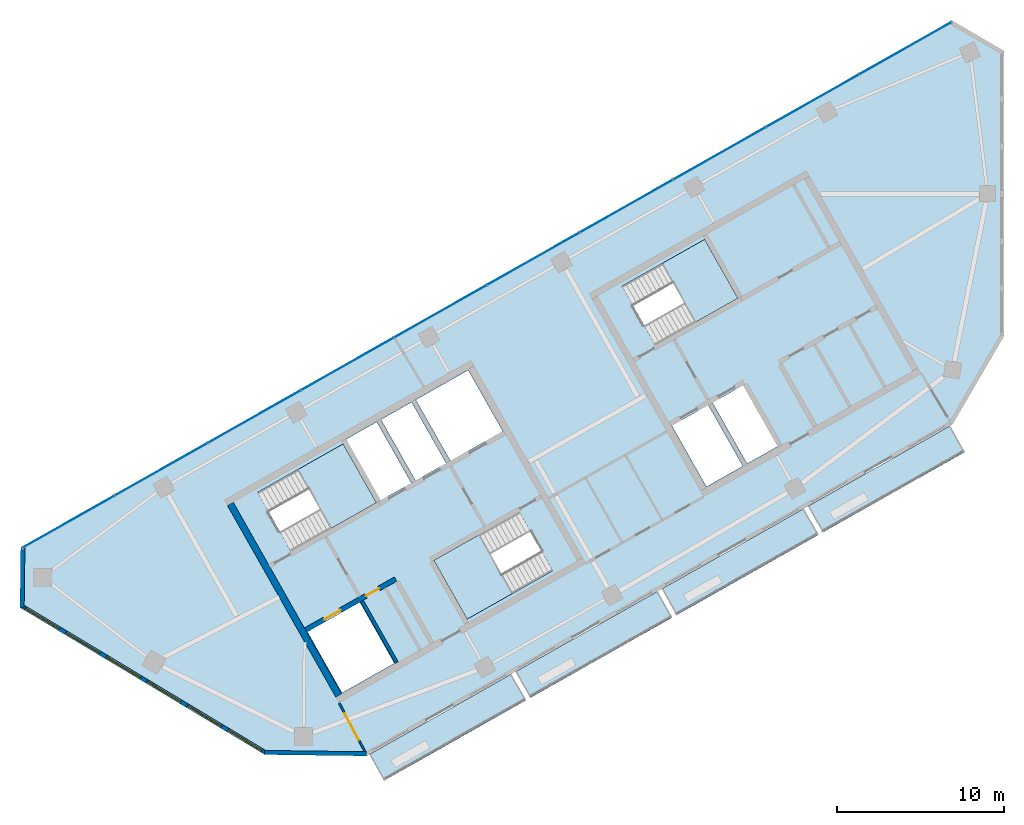
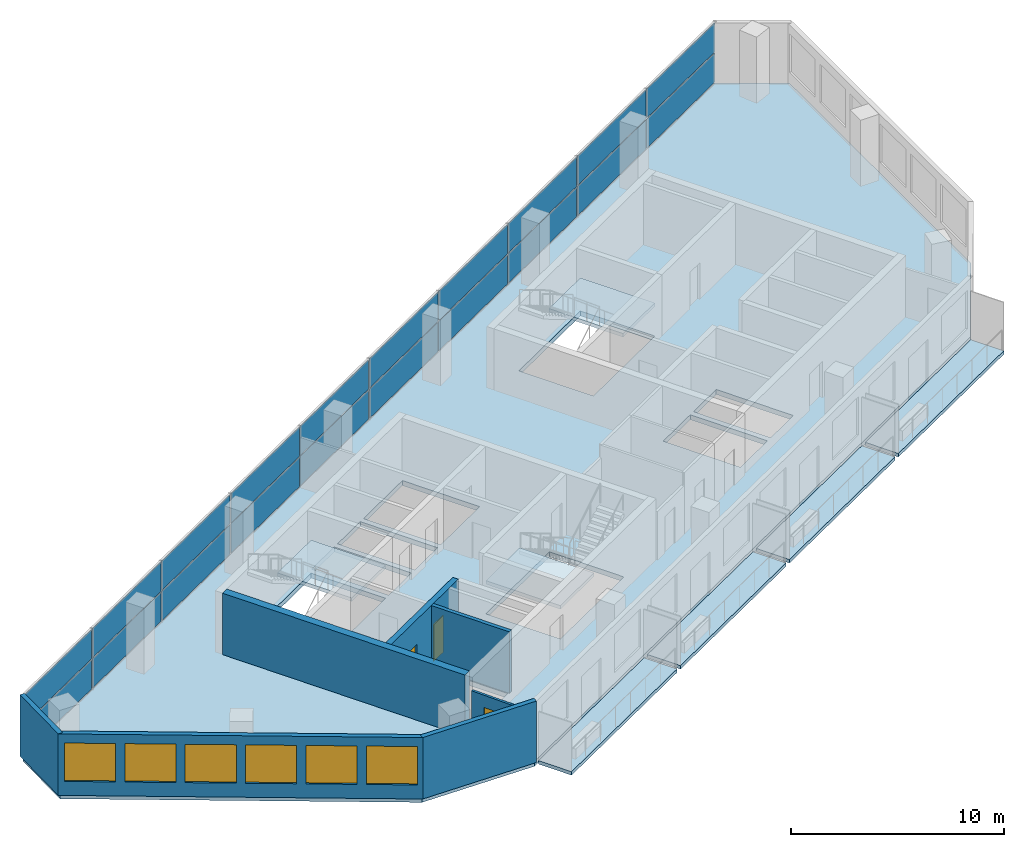
# One storey, part 5 of 10: 20 plates, 8 slabs, 7 walls, 6 windows, 3 doors, 9 openings, 4 elements without a shape of their own.
"""IFC4 building model written with IfcOpenShell, lengths in metres."""

from ifc_helpers import new_model, si_unit, direction, frame, frame_2d, origin, origin_2d, place, context, subcontext, project, spatial, polyline, rectangle, outline, extrude, material, layer, layer_set, type_object, element, fill, aggregate, save


model = new_model("IFC4")

# Units and contexts
model_context = context("Model", 3, precision=1e-05, world=origin(), true_north=direction((0.0, 1.0)))
body_context = subcontext(model_context, "Body", "Model", "MODEL_VIEW")
ifc_project = project(units=[si_unit("LENGTHUNIT", "METRE"), si_unit("AREAUNIT", "SQUARE_METRE"), si_unit("VOLUMEUNIT", "CUBIC_METRE"), si_unit("PLANEANGLEUNIT", "RADIAN"), si_unit("MASSUNIT", "GRAM", prefix="KILO")], contexts=[model_context])

# Site, building, storey
site_placement = place(None, origin())
site = spatial("IfcSite", under=ifc_project, at=site_placement, CompositionType="ELEMENT")
building_placement = place(site_placement, origin())
building = spatial("IfcBuilding", under=site, at=building_placement, Name="Binnacle Exchange Tower", CompositionType="ELEMENT")
storey_placement = place(building_placement, frame((0.0, 0.0, 335.5)))
storey = spatial("IfcBuildingStorey", under=building, at=storey_placement, Name="L76", CompositionType="ELEMENT", Elevation=335.5)

# Slabs
ifc_material_1 = material(Name="Concrete C35/45", Category="concrete")
ifc_layer_1 = layer(ifc_material_1, 0.199951171875)
ifc_layer_set_1 = layer_set([ifc_layer_1], Name="BALCONY SLAB 200")
slab_type_1 = type_object("IfcSlabType", Name="BALCONY SLAB 200", PredefinedType="FLOOR", material=ifc_layer_set_1)
slab_1_placement = place(storey_placement, frame((0.0, 0.0, -0.199951171875)))
element("IfcSlab", 1, at=slab_1_placement, inside=storey, type_object=slab_type_1, Name="Balcony BA-H07-00 L76", PredefinedType="FLOOR", context=body_context, shape_type="SweptSolid", body=[
    extrude(outline(polyline([(-37.90576171875, 26.410400390625), (-29.40380859375, 31.220458984375), (-28.517578125, 29.65380859375), (-37.019287109375, 24.84375), (-37.90576171875, 26.410400390625)])), origin(), (0.0, 0.0, 1.0), 0.199951171875),
])
slab_2_placement = place(storey_placement, frame((0.0, 0.0, -0.199951171875)))
element("IfcSlab", 2, at=slab_2_placement, inside=storey, type_object=slab_type_1, Name="Balcony BA-H07-01 L76", PredefinedType="FLOOR", context=body_context, shape_type="SweptSolid", body=[
    extrude(outline(polyline([(-29.142822265625, 31.3681640625), (-20.64111328125, 36.17822265625), (-19.754638671875, 34.611572265625), (-28.25634765625, 29.801513671875), (-29.142822265625, 31.3681640625)])), origin(), (0.0, 0.0, 1.0), 0.199951171875),
])
slab_3_placement = place(storey_placement, frame((0.0, 0.0, -0.199951171875)))
element("IfcSlab", 3, at=slab_3_placement, inside=storey, type_object=slab_type_1, Name="Balcony BA-H07-02 L76", PredefinedType="FLOOR", context=body_context, shape_type="SweptSolid", body=[
    extrude(outline(polyline([(-20.3798828125, 36.325927734375), (-11.878173828125, 41.135986328125), (-10.99169921875, 39.5693359375), (-19.493408203125, 34.759521484375), (-20.3798828125, 36.325927734375)])), origin(), (0.0, 0.0, 1.0), 0.199951171875),
])
slab_4_placement = place(storey_placement, frame((0.0, 0.0, -0.199951171875)))
element("IfcSlab", 4, at=slab_4_placement, inside=storey, type_object=slab_type_1, Name="Balcony BA-H07-03 L76", PredefinedType="FLOOR", context=body_context, shape_type="SweptSolid", body=[
    extrude(outline(polyline([(-11.616943359375, 41.28369140625), (-3.115234375, 46.093994140625), (-2.22900390625, 44.527099609375), (-10.730712890625, 39.717041015625), (-11.616943359375, 41.28369140625)])), origin(), (0.0, 0.0, 1.0), 0.199951171875),
])

# Curtain wall, plates
ifc_material_2 = material(Name="Bronze anodised aluminium frame", Category="aluminium")
curtain_wall_type = type_object("IfcCurtainWallType", Name="External wall - curtain wall executive floors", PredefinedType="NOTDEFINED", material=ifc_material_2)
curtain_wall_placement = place(storey_placement, origin())
curtain_wall = element("IfcCurtainWall", 5, at=curtain_wall_placement, inside=storey, type_object=curtain_wall_type, Name="External wall curtain wall CW4-H03 L76", PredefinedType="NOTDEFINED")
ifc_material_3 = material(Name="Glass", Category="glass")
ifc_layer_2 = layer(ifc_material_3, 0.031982421875)
ifc_layer_set_2 = layer_set([ifc_layer_2], Name="CW4 GLASS PANEL 32")
plate_type = type_object("IfcPlateType", Name="CW4 GLASS PANEL 32", PredefinedType="CURTAIN_PANEL", material=ifc_layer_set_2)
plate_1_placement = place(storey_placement, frame((-5.786376953125, 68.72607421875, 0.050048828125), z_axis=(0.0, 0.0, 1.0), x_axis=(-0.870355581136, -0.492423763019, 0.0)))
plate_1 = element("IfcPlate", 6, at=plate_1_placement, type_object=plate_type, Name="CW4-H03 panel 1.1", PredefinedType="CURTAIN_PANEL", context=body_context, shape_type="SweptSolid", body=[
    extrude(rectangle(XDim=6.30029296875, YDim=0.031982421875, at=origin_2d()), origin(), (0.0, 0.0, 1.0), 1.68505859375),
])
plate_2_placement = place(storey_placement, frame((-5.786376953125, 68.72607421875, 1.784912109375), z_axis=(0.0, 0.0, 1.0), x_axis=(-0.870355581136, -0.492423763019, 0.0)))
plate_2 = element("IfcPlate", 7, at=plate_2_placement, type_object=plate_type, Name="CW4-H03 panel 1.2", PredefinedType="CURTAIN_PANEL", context=body_context, shape_type="SweptSolid", body=[
    extrude(rectangle(XDim=6.30029296875, YDim=0.031982421875, at=origin_2d()), origin(), (0.0, 0.0, 1.0), 1.68505859375),
])
plate_3_placement = place(storey_placement, frame((-11.345947265625, 65.580810546875, 0.050048828125), z_axis=(0.0, 0.0, 1.0), x_axis=(-0.870355581136, -0.492423763019, 0.0)))
plate_3 = element("IfcPlate", 8, at=plate_3_placement, type_object=plate_type, Name="CW4-H03 panel 2.1", PredefinedType="CURTAIN_PANEL", context=body_context, shape_type="SweptSolid", body=[
    extrude(rectangle(XDim=6.335205078125, YDim=0.031982421875, at=origin_2d()), origin(), (0.0, 0.0, 1.0), 1.68505859375),
])
plate_4_placement = place(storey_placement, frame((-11.345947265625, 65.580810546875, 1.784912109375), z_axis=(0.0, 0.0, 1.0), x_axis=(-0.870355581136, -0.492423763019, 0.0)))
plate_4 = element("IfcPlate", 9, at=plate_4_placement, type_object=plate_type, Name="CW4-H03 panel 2.2", PredefinedType="CURTAIN_PANEL", context=body_context, shape_type="SweptSolid", body=[
    extrude(rectangle(XDim=6.335205078125, YDim=0.031982421875, at=origin_2d()), origin(), (0.0, 0.0, 1.0), 1.68505859375),
])
plate_5_placement = place(storey_placement, frame((-16.9208984375, 62.426513671875, 0.050048828125), z_axis=(0.0, 0.0, 1.0), x_axis=(-0.870355581136, -0.492423763019, 0.0)))
plate_5 = element("IfcPlate", 10, at=plate_5_placement, type_object=plate_type, Name="CW4-H03 panel 3.1", PredefinedType="CURTAIN_PANEL", context=body_context, shape_type="SweptSolid", body=[
    extrude(rectangle(XDim=6.335205078125, YDim=0.031982421875, at=origin_2d()), origin(), (0.0, 0.0, 1.0), 1.68505859375),
])
plate_6_placement = place(storey_placement, frame((-16.9208984375, 62.426513671875, 1.784912109375), z_axis=(0.0, 0.0, 1.0), x_axis=(-0.870355581136, -0.492423763019, 0.0)))
plate_6 = element("IfcPlate", 11, at=plate_6_placement, type_object=plate_type, Name="CW4-H03 panel 3.2", PredefinedType="CURTAIN_PANEL", context=body_context, shape_type="SweptSolid", body=[
    extrude(rectangle(XDim=6.335205078125, YDim=0.031982421875, at=origin_2d()), origin(), (0.0, 0.0, 1.0), 1.68505859375),
])
plate_7_placement = place(storey_placement, frame((-22.49560546875, 59.2724609375, 0.050048828125), z_axis=(0.0, 0.0, 1.0), x_axis=(-0.870355581136, -0.492423763019, 0.0)))
plate_7 = element("IfcPlate", 12, at=plate_7_placement, type_object=plate_type, Name="CW4-H03 panel 4.1", PredefinedType="CURTAIN_PANEL", context=body_context, shape_type="SweptSolid", body=[
    extrude(rectangle(XDim=6.335205078125, YDim=0.031982421875, at=origin_2d()), origin(), (0.0, 0.0, 1.0), 1.68505859375),
])
plate_8_placement = place(storey_placement, frame((-22.49560546875, 59.2724609375, 1.784912109375), z_axis=(0.0, 0.0, 1.0), x_axis=(-0.870355581136, -0.492423763019, 0.0)))
plate_8 = element("IfcPlate", 13, at=plate_8_placement, type_object=plate_type, Name="CW4-H03 panel 4.2", PredefinedType="CURTAIN_PANEL", context=body_context, shape_type="SweptSolid", body=[
    extrude(rectangle(XDim=6.335205078125, YDim=0.031982421875, at=origin_2d()), origin(), (0.0, 0.0, 1.0), 1.68505859375),
])
plate_9_placement = place(storey_placement, frame((-28.070556640625, 56.118408203125, 0.050048828125), z_axis=(0.0, 0.0, 1.0), x_axis=(-0.870355581136, -0.492423763019, 0.0)))
plate_9 = element("IfcPlate", 14, at=plate_9_placement, type_object=plate_type, Name="CW4-H03 panel 5.1", PredefinedType="CURTAIN_PANEL", context=body_context, shape_type="SweptSolid", body=[
    extrude(rectangle(XDim=6.335205078125, YDim=0.031982421875, at=origin_2d()), origin(), (0.0, 0.0, 1.0), 1.68505859375),
])
plate_10_placement = place(storey_placement, frame((-28.070556640625, 56.118408203125, 1.784912109375), z_axis=(0.0, 0.0, 1.0), x_axis=(-0.870355581136, -0.492423763019, 0.0)))
plate_10 = element("IfcPlate", 15, at=plate_10_placement, type_object=plate_type, Name="CW4-H03 panel 5.2", PredefinedType="CURTAIN_PANEL", context=body_context, shape_type="SweptSolid", body=[
    extrude(rectangle(XDim=6.335205078125, YDim=0.031982421875, at=origin_2d()), origin(), (0.0, 0.0, 1.0), 1.68505859375),
])
plate_11_placement = place(storey_placement, frame((-33.6455078125, 52.96435546875, 0.050048828125), z_axis=(0.0, 0.0, 1.0), x_axis=(-0.870355581136, -0.492423763019, 0.0)))
plate_11 = element("IfcPlate", 16, at=plate_11_placement, type_object=plate_type, Name="CW4-H03 panel 6.1", PredefinedType="CURTAIN_PANEL", context=body_context, shape_type="SweptSolid", body=[
    extrude(rectangle(XDim=6.335205078125, YDim=0.031982421875, at=origin_2d()), origin(), (0.0, 0.0, 1.0), 1.68505859375),
])
plate_12_placement = place(storey_placement, frame((-33.6455078125, 52.96435546875, 1.784912109375), z_axis=(0.0, 0.0, 1.0), x_axis=(-0.870355581136, -0.492423763019, 0.0)))
plate_12 = element("IfcPlate", 17, at=plate_12_placement, type_object=plate_type, Name="CW4-H03 panel 6.2", PredefinedType="CURTAIN_PANEL", context=body_context, shape_type="SweptSolid", body=[
    extrude(rectangle(XDim=6.335205078125, YDim=0.031982421875, at=origin_2d()), origin(), (0.0, 0.0, 1.0), 1.68505859375),
])
plate_13_placement = place(storey_placement, frame((-39.22021484375, 49.810302734375, 0.050048828125), z_axis=(0.0, 0.0, 1.0), x_axis=(-0.870355581136, -0.492423763019, 0.0)))
plate_13 = element("IfcPlate", 18, at=plate_13_placement, type_object=plate_type, Name="CW4-H03 panel 7.1", PredefinedType="CURTAIN_PANEL", context=body_context, shape_type="SweptSolid", body=[
    extrude(rectangle(XDim=6.335205078125, YDim=0.031982421875, at=origin_2d()), origin(), (0.0, 0.0, 1.0), 1.68505859375),
])
plate_14_placement = place(storey_placement, frame((-39.22021484375, 49.810302734375, 1.784912109375), z_axis=(0.0, 0.0, 1.0), x_axis=(-0.870355581136, -0.492423763019, 0.0)))
plate_14 = element("IfcPlate", 19, at=plate_14_placement, type_object=plate_type, Name="CW4-H03 panel 7.2", PredefinedType="CURTAIN_PANEL", context=body_context, shape_type="SweptSolid", body=[
    extrude(rectangle(XDim=6.335205078125, YDim=0.031982421875, at=origin_2d()), origin(), (0.0, 0.0, 1.0), 1.68505859375),
])
plate_15_placement = place(storey_placement, frame((-44.795166015625, 46.656005859375, 0.050048828125), z_axis=(0.0, 0.0, 1.0), x_axis=(-0.870355581136, -0.492423763019, 0.0)))
plate_15 = element("IfcPlate", 20, at=plate_15_placement, type_object=plate_type, Name="CW4-H03 panel 8.1", PredefinedType="CURTAIN_PANEL", context=body_context, shape_type="SweptSolid", body=[
    extrude(rectangle(XDim=6.335205078125, YDim=0.031982421875, at=origin_2d()), origin(), (0.0, 0.0, 1.0), 1.68505859375),
])
plate_16_placement = place(storey_placement, frame((-44.795166015625, 46.656005859375, 1.784912109375), z_axis=(0.0, 0.0, 1.0), x_axis=(-0.870355581136, -0.492423763019, 0.0)))
plate_16 = element("IfcPlate", 21, at=plate_16_placement, type_object=plate_type, Name="CW4-H03 panel 8.2", PredefinedType="CURTAIN_PANEL", context=body_context, shape_type="SweptSolid", body=[
    extrude(rectangle(XDim=6.335205078125, YDim=0.031982421875, at=origin_2d()), origin(), (0.0, 0.0, 1.0), 1.68505859375),
])
plate_17_placement = place(storey_placement, frame((-50.369873046875, 43.501953125, 0.050048828125), z_axis=(0.0, 0.0, 1.0), x_axis=(-0.870355581136, -0.492423763019, 0.0)))
plate_17 = element("IfcPlate", 22, at=plate_17_placement, type_object=plate_type, Name="CW4-H03 panel 9.1", PredefinedType="CURTAIN_PANEL", context=body_context, shape_type="SweptSolid", body=[
    extrude(rectangle(XDim=6.335205078125, YDim=0.031982421875, at=origin_2d()), origin(), (0.0, 0.0, 1.0), 1.68505859375),
])
plate_18_placement = place(storey_placement, frame((-50.369873046875, 43.501953125, 1.784912109375), z_axis=(0.0, 0.0, 1.0), x_axis=(-0.870355581136, -0.492423763019, 0.0)))
plate_18 = element("IfcPlate", 23, at=plate_18_placement, type_object=plate_type, Name="CW4-H03 panel 9.2", PredefinedType="CURTAIN_PANEL", context=body_context, shape_type="SweptSolid", body=[
    extrude(rectangle(XDim=6.335205078125, YDim=0.031982421875, at=origin_2d()), origin(), (0.0, 0.0, 1.0), 1.68505859375),
])
plate_19_placement = place(storey_placement, frame((-55.9296875, 40.3564453125, 0.050048828125), z_axis=(0.0, 0.0, 1.0), x_axis=(-0.870355581136, -0.492423763019, 0.0)))
plate_19 = element("IfcPlate", 24, at=plate_19_placement, type_object=plate_type, Name="CW4-H03 panel 10.1", PredefinedType="CURTAIN_PANEL", context=body_context, shape_type="SweptSolid", body=[
    extrude(rectangle(XDim=6.30029296875, YDim=0.031982421875, at=origin_2d()), origin(), (0.0, 0.0, 1.0), 1.68505859375),
])
plate_20_placement = place(storey_placement, frame((-55.9296875, 40.3564453125, 1.784912109375), z_axis=(0.0, 0.0, 1.0), x_axis=(-0.870355581136, -0.492423763019, 0.0)))
plate_20 = element("IfcPlate", 25, at=plate_20_placement, type_object=plate_type, Name="CW4-H03 panel 10.2", PredefinedType="CURTAIN_PANEL", context=body_context, shape_type="SweptSolid", body=[
    extrude(rectangle(XDim=6.30029296875, YDim=0.031982421875, at=origin_2d()), origin(), (0.0, 0.0, 1.0), 1.68505859375),
])
aggregate(curtain_wall, [plate_1, plate_2, plate_3, plate_4, plate_5, plate_6, plate_7, plate_8, plate_9, plate_10, plate_11, plate_12, plate_13, plate_14, plate_15, plate_16, plate_17, plate_18, plate_19, plate_20])

# Slab
ifc_layer_3 = layer(ifc_material_1, 0.280029296875)
ifc_layer_set_3 = layer_set([ifc_layer_3], Name="Floor slab 280 Concrete C35/45")
slab_type_2 = type_object("IfcSlabType", Name="Floor slab 280 Concrete C35/45", PredefinedType="FLOOR", material=ifc_layer_set_3)
slab_5_placement = place(storey_placement, frame((0.0, 0.0, -0.280029296875)))
element("IfcSlab", 26, at=slab_5_placement, inside=storey, type_object=slab_type_2, Name="S:SL:L76:01", PredefinedType="FLOOR", context=body_context, shape_type="SweptSolid", body=[
    extrude(outline(polyline([(-38.097900390625, 26.4453125), (-44.14404296875, 26.5244140625), (-58.716064453125, 35.280029296875), (-58.669921875, 38.80615234375), (-3.046142578125, 70.276611328125), (0.0, 68.5), (0.0, 51.5), (-3.046142578125, 46.276611328125), (-38.097900390625, 26.4453125)]), holes=[polyline([(-38.4794921875, 35.529296875), (-41.61279296875, 33.756591796875), (-39.544677734375, 30.10107421875), (-36.411376953125, 31.873779296875), (-38.4794921875, 35.529296875)]), polyline([(-32.04638671875, 34.515625), (-26.9287109375, 37.4111328125), (-28.923095703125, 40.93603515625), (-34.040771484375, 38.04052734375), (-32.04638671875, 34.515625)]), polyline([(-39.480712890625, 45.01611328125), (-44.598388671875, 42.12060546875), (-42.604248046875, 38.595703125), (-37.486572265625, 41.4912109375), (-39.480712890625, 45.01611328125)]), polyline([(-37.4658203125, 46.32861328125), (-39.293701171875, 45.29443359375), (-37.225341796875, 41.638916015625), (-35.397705078125, 42.673095703125), (-37.4658203125, 46.32861328125)]), polyline([(-17.598876953125, 47.343017578125), (-19.77490234375, 46.11181640625), (-17.70654296875, 42.456298828125), (-15.53076171875, 43.6875), (-17.598876953125, 47.343017578125)]), polyline([(-35.376953125, 47.51025390625), (-37.20458984375, 46.476318359375), (-35.136474609375, 42.82080078125), (-33.308837890625, 43.854736328125), (-35.376953125, 47.51025390625)]), polyline([(-15.510009765625, 48.52490234375), (-17.337890625, 47.49072265625), (-15.26953125, 43.835205078125), (-13.44189453125, 44.869384765625), (-15.510009765625, 48.52490234375)]), polyline([(-29.914306640625, 45.775390625), (-31.982666015625, 49.430908203125), (-35.115966796875, 47.657958984375), (-33.047607421875, 44.00244140625), (-29.914306640625, 45.775390625)]), polyline([(-15.822509765625, 53.748046875), (-17.81689453125, 57.27294921875), (-22.760498046875, 54.47607421875), (-20.76611328125, 50.950927734375), (-15.822509765625, 53.748046875)])]), origin(), (0.0, 0.0, 1.0), 0.280029296875),
])

# Stair, slab
stair_type = type_object("IfcStairType", Name="STAIR 22 RISERS 173", PredefinedType="HALF_TURN_STAIR", material=ifc_material_1)
stair_1_placement = place(storey_placement, origin())
stair_1 = element("IfcStair", 27, at=stair_1_placement, inside=storey, type_object=stair_type, Name="L76 Escape stair A1", PredefinedType="HALF_TURN_STAIR")
ifc_layer_4 = layer(ifc_material_1, 0.199951171875)
ifc_layer_set_4 = layer_set([ifc_layer_4], Name="STAIR LANDING 200")
slab_type_3 = type_object("IfcSlabType", Name="STAIR LANDING 200", PredefinedType="LANDING", material=ifc_layer_set_4)
slab_6_placement = place(storey_placement, frame((0.0, 0.0, 1.699951171875)))
slab_6 = element("IfcSlab", 28, at=slab_6_placement, type_object=slab_type_3, Name="STA1 landing 1", PredefinedType="LANDING", context=body_context, shape_type="SweptSolid", body=[
    extrude(outline(polyline([(-40.2021484375, 39.954833984375), (-37.486572265625, 41.4912109375), (-39.48095703125, 45.01611328125), (-42.1962890625, 43.479736328125), (-40.2021484375, 39.954833984375)])), origin(), (0.0, 0.0, 1.0), 0.199951171875),
])
aggregate(stair_1, [slab_6])

stair_2_placement = place(storey_placement, origin())
stair_2 = element("IfcStair", 29, at=stair_2_placement, inside=storey, type_object=stair_type, Name="L76 Escape stair A2", PredefinedType="HALF_TURN_STAIR")
slab_7_placement = place(storey_placement, frame((0.0, 0.0, 1.699951171875)))
slab_7 = element("IfcSlab", 30, at=slab_7_placement, type_object=slab_type_3, Name="STA2 landing 1", PredefinedType="LANDING", context=body_context, shape_type="SweptSolid", body=[
    extrude(outline(polyline([(-31.3251953125, 39.576904296875), (-34.040771484375, 38.04052734375), (-32.04638671875, 34.515625), (-29.330810546875, 36.052001953125), (-31.3251953125, 39.576904296875)])), origin(), (0.0, 0.0, 1.0), 0.199951171875),
])
aggregate(stair_2, [slab_7])

stair_3_placement = place(storey_placement, origin())
stair_3 = element("IfcStair", 31, at=stair_3_placement, inside=storey, type_object=stair_type, Name="L76 Escape stair C1", PredefinedType="HALF_TURN_STAIR")
slab_8_placement = place(storey_placement, frame((0.0, 0.0, 1.699951171875)))
slab_8 = element("IfcSlab", 32, at=slab_8_placement, type_object=slab_type_3, Name="STC1 landing 1", PredefinedType="LANDING", context=body_context, shape_type="SweptSolid", body=[
    extrude(outline(polyline([(-18.364013671875, 52.31005859375), (-15.822509765625, 53.748046875), (-17.81689453125, 57.27294921875), (-20.3583984375, 55.8349609375), (-18.364013671875, 52.31005859375)])), origin(), (0.0, 0.0, 1.0), 0.199951171875),
])
aggregate(stair_3, [slab_8])

# Wall, openings, doors
ifc_material_4 = material(Name="Concrete C70/85", Category="concrete")
ifc_layer_5 = layer(ifc_material_4, 0.300048828125)
ifc_layer_set_5 = layer_set([ifc_layer_5], Name="Core wall - front 300")
wall_type_1 = type_object("IfcWallType", Name="Core wall - front 300", PredefinedType="SOLIDWALL", material=ifc_layer_set_5)
wall_1_placement = place(storey_placement, frame((-41.72998046875, 33.862548828125, 0.0), z_axis=(0.0, 0.0, 1.0), x_axis=(0.870350800578, 0.492432212525, 0.0)))
wall_1 = element("IfcWall", 33, at=wall_1_placement, inside=storey, type_object=wall_type_1, Name="Core wall CRWA2", PredefinedType="SOLIDWALL", context=body_context, shape_type="SweptSolid", body=[
    extrude(rectangle(XDim=6.19970703125, YDim=0.300048828125, at=frame_2d((3.099853515625, 0.0))), origin(), (0.0, 0.0, 1.0), 3.52001953125),
])
opening_1_placement = place(wall_1_placement, frame((1.300048828125, 0.0, 0.0)))
opening_1 = element("IfcOpeningElement", 34, at=opening_1_placement, cuts=wall_1, Name="Opening LD12", PredefinedType="OPENING", context=body_context, shape_type="SweptSolid", body=[
    extrude(rectangle(XDim=1.10009765625, YDim=2.10009765625, at=frame_2d((0.550048828125, 1.050048828125))), frame((0.0, 0.159912109375, 0.0), z_axis=(0.0, -1.0, 0.0), x_axis=(1.0, 0.0, 0.0)), (0.0, 0.0, 1.0), 0.320068359375),
])
opening_2_placement = place(wall_1_placement, frame((4.14990234375, 0.0, 0.0)))
opening_2 = element("IfcOpeningElement", 35, at=opening_2_placement, cuts=wall_1, Name="Opening DA14", PredefinedType="OPENING", context=body_context, shape_type="SweptSolid", body=[
    extrude(rectangle(XDim=0.89990234375, YDim=2.10009765625, at=frame_2d((0.449951171875, 1.050048828125))), frame((0.0, 0.159912109375, 0.0), z_axis=(0.0, -1.0, 0.0), x_axis=(1.0, 0.0, 0.0)), (0.0, 0.0, 1.0), 0.320068359375),
])
ifc_material_5 = material(Name="Steel door leaf", Category="steel")
door_type_1 = type_object("IfcDoorType", Name="Fire door - lift landing 1100", OperationType="NOTDEFINED", PredefinedType="DOOR", material=ifc_material_5)
door_1_placement = place(opening_1_placement, origin())
door_1 = element("IfcDoor", 36, at=door_1_placement, inside=storey, type_object=door_type_1, Name="Landing door LD12 L76", OperationType="DOUBLE_DOOR_SLIDING", OverallHeight=2.10009765625, OverallWidth=1.10009765625, PredefinedType="DOOR", context=body_context, shape_type="SweptSolid", body=[
    extrude(rectangle(XDim=1.10009765625, YDim=2.10009765625, at=frame_2d((0.550048828125, 1.050048828125))), frame((0.0, 0.02490234375, 0.0), z_axis=(0.0, -1.0, 0.0), x_axis=(1.0, 0.0, 0.0)), (0.0, 0.0, 1.0), 0.050048828125),
])
fill(opening_1, door_1)
door_type_2 = type_object("IfcDoorType", Name="Fire door 900", OperationType="NOTDEFINED", PredefinedType="DOOR", material=ifc_material_5)
door_2_placement = place(opening_2_placement, frame((0.89990234375, 0.0, 0.0), z_axis=(0.0, 0.0, 1.0), x_axis=(-1.0, 0.0, 0.0)))
door_2 = element("IfcDoor", 37, at=door_2_placement, inside=storey, type_object=door_type_2, Name="Core room door CLEANERS STORE", OperationType="SINGLE_SWING_LEFT", OverallHeight=2.10009765625, OverallWidth=0.89990234375, PredefinedType="DOOR", context=body_context, shape_type="SweptSolid", body=[
    extrude(rectangle(XDim=0.89990234375, YDim=2.10009765625, at=frame_2d((0.449951171875, 1.050048828125))), frame((0.0, 0.02490234375, 0.0), z_axis=(0.0, -1.0, 0.0), x_axis=(1.0, 0.0, 0.0)), (0.0, 0.0, 1.0), 0.050048828125),
])
fill(opening_2, door_2)

# Walls
ifc_layer_6 = layer(ifc_material_4, 0.39990234375)
ifc_layer_set_6 = layer_set([ifc_layer_6], Name="Core wall - outer 400")
wall_type_2 = type_object("IfcWallType", Name="Core wall - outer 400", PredefinedType="SOLIDWALL", material=ifc_layer_set_6)
wall_2_placement = place(storey_placement, frame((-46.237548828125, 41.423095703125, 0.0), z_axis=(0.0, 0.0, 1.0), x_axis=(0.492421663121, -0.870356769198, 0.0)))
element("IfcWall", 38, at=wall_2_placement, inside=storey, type_object=wall_type_2, Name="Core wall CRWA7", PredefinedType="SOLIDWALL", context=body_context, shape_type="SweptSolid", body=[
    extrude(rectangle(XDim=13.199951171875, YDim=0.39990234375, at=frame_2d((6.60009765625, 0.0))), origin(), (0.0, 0.0, 1.0), 3.52001953125),
])
ifc_material_6 = material(Name="Bronze aluminium cladding", Category="aluminium")
ifc_layer_7 = layer(ifc_material_6, 0.25)
ifc_layer_set_7 = layer_set([ifc_layer_7], Name="External wall - window wall 250")
wall_type_3 = type_object("IfcWallType", Name="External wall - window wall 250", PredefinedType="STANDARD", material=ifc_layer_set_7)
wall_3_placement = place(storey_placement, frame((-58.717041015625, 35.208251953125, 0.0), z_axis=(0.0, 0.0, 1.0), x_axis=(0.01310512158, 0.999914124207, 0.0)))
element("IfcWall", 39, at=wall_3_placement, inside=storey, type_object=wall_type_3, Name="External wall EW-H04 L76", PredefinedType="STANDARD", context=body_context, shape_type="SweptSolid", body=[
    extrude(rectangle(XDim=3.669921875, YDim=0.25, at=frame_2d((1.8349609375, 0.0))), origin(), (0.0, 0.0, 1.0), 3.52001953125),
])

# Wall, openings, windows
wall_4_placement = place(storey_placement, frame((-44.115234375, 26.507080078125, 0.0), z_axis=(0.0, 0.0, 1.0), x_axis=(-0.857166583633, 0.515039268311, 0.0)))
wall_4 = element("IfcWall", 40, at=wall_4_placement, inside=storey, type_object=wall_type_3, Name="External wall EW-H05 L76", PredefinedType="STANDARD", context=body_context, shape_type="SweptSolid", body=[
    extrude(rectangle(XDim=17.105712890625, YDim=0.25, at=frame_2d((8.552734375, 0.0))), origin(), (0.0, 0.0, 1.0), 3.52001953125),
])
opening_3_placement = place(wall_4_placement, frame((14.4169921875, 0.0, 0.800048828125)))
opening_3 = element("IfcOpeningElement", 41, at=opening_3_placement, cuts=wall_4, Name="Opening WR2", PredefinedType="OPENING", context=body_context, shape_type="SweptSolid", body=[
    extrude(rectangle(XDim=2.39990234375, YDim=2.199951171875, at=frame_2d((1.199951171875, 1.10009765625))), frame((0.0, 0.135009765625, 0.0), z_axis=(0.0, -1.0, 0.0), x_axis=(1.0, 0.0, 0.0)), (0.0, 0.0, 1.0), 0.27001953125),
])
opening_4_placement = place(wall_4_placement, frame((11.583740234375, 0.0, 0.800048828125)))
opening_4 = element("IfcOpeningElement", 42, at=opening_4_placement, cuts=wall_4, Name="Opening WR2", PredefinedType="OPENING", context=body_context, shape_type="SweptSolid", body=[
    extrude(rectangle(XDim=2.39990234375, YDim=2.199951171875, at=frame_2d((1.199951171875, 1.10009765625))), frame((0.0, 0.135009765625, 0.0), z_axis=(0.0, -1.0, 0.0), x_axis=(1.0, 0.0, 0.0)), (0.0, 0.0, 1.0), 0.27001953125),
])
opening_5_placement = place(wall_4_placement, frame((8.75048828125, 0.0, 0.800048828125)))
opening_5 = element("IfcOpeningElement", 43, at=opening_5_placement, cuts=wall_4, Name="Opening WR2", PredefinedType="OPENING", context=body_context, shape_type="SweptSolid", body=[
    extrude(rectangle(XDim=2.39990234375, YDim=2.199951171875, at=frame_2d((1.199951171875, 1.10009765625))), frame((0.0, 0.135009765625, 0.0), z_axis=(0.0, -1.0, 0.0), x_axis=(1.0, 0.0, 0.0)), (0.0, 0.0, 1.0), 0.27001953125),
])
opening_6_placement = place(wall_4_placement, frame((5.9169921875, 0.0, 0.800048828125)))
opening_6 = element("IfcOpeningElement", 44, at=opening_6_placement, cuts=wall_4, Name="Opening WR2", PredefinedType="OPENING", context=body_context, shape_type="SweptSolid", body=[
    extrude(rectangle(XDim=2.39990234375, YDim=2.199951171875, at=frame_2d((1.199951171875, 1.10009765625))), frame((0.0, 0.135009765625, 0.0), z_axis=(0.0, -1.0, 0.0), x_axis=(1.0, 0.0, 0.0)), (0.0, 0.0, 1.0), 0.27001953125),
])
opening_7_placement = place(wall_4_placement, frame((3.083740234375, 0.0, 0.800048828125)))
opening_7 = element("IfcOpeningElement", 45, at=opening_7_placement, cuts=wall_4, Name="Opening WR2", PredefinedType="OPENING", context=body_context, shape_type="SweptSolid", body=[
    extrude(rectangle(XDim=2.39990234375, YDim=2.199951171875, at=frame_2d((1.199951171875, 1.10009765625))), frame((0.0, 0.135009765625, 0.0), z_axis=(0.0, -1.0, 0.0), x_axis=(1.0, 0.0, 0.0)), (0.0, 0.0, 1.0), 0.27001953125),
])
opening_8_placement = place(wall_4_placement, frame((0.25048828125, 0.0, 0.800048828125)))
opening_8 = element("IfcOpeningElement", 46, at=opening_8_placement, cuts=wall_4, Name="Opening WR2", PredefinedType="OPENING", context=body_context, shape_type="SweptSolid", body=[
    extrude(rectangle(XDim=2.39990234375, YDim=2.199951171875, at=frame_2d((1.199951171875, 1.10009765625))), frame((0.0, 0.135009765625, 0.0), z_axis=(0.0, -1.0, 0.0), x_axis=(1.0, 0.0, 0.0)), (0.0, 0.0, 1.0), 0.27001953125),
])
window_type = type_object("IfcWindowType", Name="WR2 WINDOW 2400x2200", PartitioningType="SINGLE_PANEL", PredefinedType="WINDOW", material=ifc_material_2)
window_1_placement = place(opening_3_placement, origin())
window_1 = element("IfcWindow", 47, at=window_1_placement, inside=storey, type_object=window_type, Name="Window WR2 L76", OverallHeight=2.199951171875, OverallWidth=2.39990234375, PartitioningType="SINGLE_PANEL", PredefinedType="WINDOW", context=body_context, shape_type="SweptSolid", body=[
    extrude(rectangle(XDim=2.39990234375, YDim=2.199951171875, at=frame_2d((1.199951171875, 1.10009765625))), frame((0.0, 0.030029296875, 0.0), z_axis=(0.0, -1.0, 0.0), x_axis=(1.0, 0.0, 0.0)), (0.0, 0.0, 1.0), 0.06005859375),
])
fill(opening_3, window_1)
window_2_placement = place(opening_4_placement, origin())
window_2 = element("IfcWindow", 48, at=window_2_placement, inside=storey, type_object=window_type, Name="Window WR2 L76", OverallHeight=2.199951171875, OverallWidth=2.39990234375, PartitioningType="SINGLE_PANEL", PredefinedType="WINDOW", context=body_context, shape_type="SweptSolid", body=[
    extrude(rectangle(XDim=2.39990234375, YDim=2.199951171875, at=frame_2d((1.199951171875, 1.10009765625))), frame((0.0, 0.030029296875, 0.0), z_axis=(0.0, -1.0, 0.0), x_axis=(1.0, 0.0, 0.0)), (0.0, 0.0, 1.0), 0.06005859375),
])
fill(opening_4, window_2)
window_3_placement = place(opening_5_placement, origin())
window_3 = element("IfcWindow", 49, at=window_3_placement, inside=storey, type_object=window_type, Name="Window WR2 L76", OverallHeight=2.199951171875, OverallWidth=2.39990234375, PartitioningType="SINGLE_PANEL", PredefinedType="WINDOW", context=body_context, shape_type="SweptSolid", body=[
    extrude(rectangle(XDim=2.39990234375, YDim=2.199951171875, at=frame_2d((1.199951171875, 1.10009765625))), frame((0.0, 0.030029296875, 0.0), z_axis=(0.0, -1.0, 0.0), x_axis=(1.0, 0.0, 0.0)), (0.0, 0.0, 1.0), 0.06005859375),
])
fill(opening_5, window_3)
window_4_placement = place(opening_6_placement, origin())
window_4 = element("IfcWindow", 50, at=window_4_placement, inside=storey, type_object=window_type, Name="Window WR2 L76", OverallHeight=2.199951171875, OverallWidth=2.39990234375, PartitioningType="SINGLE_PANEL", PredefinedType="WINDOW", context=body_context, shape_type="SweptSolid", body=[
    extrude(rectangle(XDim=2.39990234375, YDim=2.199951171875, at=frame_2d((1.199951171875, 1.10009765625))), frame((0.0, 0.030029296875, 0.0), z_axis=(0.0, -1.0, 0.0), x_axis=(1.0, 0.0, 0.0)), (0.0, 0.0, 1.0), 0.06005859375),
])
fill(opening_6, window_4)
window_5_placement = place(opening_7_placement, origin())
window_5 = element("IfcWindow", 51, at=window_5_placement, inside=storey, type_object=window_type, Name="Window WR2 L76", OverallHeight=2.199951171875, OverallWidth=2.39990234375, PartitioningType="SINGLE_PANEL", PredefinedType="WINDOW", context=body_context, shape_type="SweptSolid", body=[
    extrude(rectangle(XDim=2.39990234375, YDim=2.199951171875, at=frame_2d((1.199951171875, 1.10009765625))), frame((0.0, 0.030029296875, 0.0), z_axis=(0.0, -1.0, 0.0), x_axis=(1.0, 0.0, 0.0)), (0.0, 0.0, 1.0), 0.06005859375),
])
fill(opening_7, window_5)
window_6_placement = place(opening_8_placement, origin())
window_6 = element("IfcWindow", 52, at=window_6_placement, inside=storey, type_object=window_type, Name="Window WR2 L76", OverallHeight=2.199951171875, OverallWidth=2.39990234375, PartitioningType="SINGLE_PANEL", PredefinedType="WINDOW", context=body_context, shape_type="SweptSolid", body=[
    extrude(rectangle(XDim=2.39990234375, YDim=2.199951171875, at=frame_2d((1.199951171875, 1.10009765625))), frame((0.0, 0.030029296875, 0.0), z_axis=(0.0, -1.0, 0.0), x_axis=(1.0, 0.0, 0.0)), (0.0, 0.0, 1.0), 0.06005859375),
])
fill(opening_8, window_6)

# Wall
wall_5_placement = place(storey_placement, frame((-38.06396484375, 26.44482421875, 0.0), z_axis=(0.0, 0.0, 1.0), x_axis=(-0.999914239143, 0.013096349097, 0.0)))
element("IfcWall", 53, at=wall_5_placement, inside=storey, type_object=wall_type_3, Name="External wall EW-H06 L76", PredefinedType="STANDARD", context=body_context, shape_type="SweptSolid", body=[
    extrude(rectangle(XDim=6.114501953125, YDim=0.25, at=frame_2d((3.05712890625, 0.0))), origin(), (0.0, 0.0, 1.0), 3.52001953125),
])

# Wall, opening, door
ifc_material_7 = material(Name="Gypsum partition")
ifc_layer_8 = layer(ifc_material_7, 0.125)
ifc_layer_set_8 = layer_set([ifc_layer_8], Name="Partition 125")
wall_type_4 = type_object("IfcWallType", Name="Partition 125", PredefinedType="PARTITIONING", material=ifc_layer_set_8)
wall_6_placement = place(storey_placement, frame((-39.715087890625, 29.488037109375, 0.0), z_axis=(0.0, 0.0, 1.0), x_axis=(0.469248890304, -0.883065953906, 0.0)))
wall_6 = element("IfcWall", 54, at=wall_6_placement, inside=storey, type_object=wall_type_4, Name="Partition W01", PredefinedType="PARTITIONING", context=body_context, shape_type="SweptSolid", body=[
    extrude(rectangle(XDim=3.30322265625, YDim=0.125, at=frame_2d((1.651611328125, 0.0))), origin(), (0.0, 0.0, 1.0), 2.800048828125),
])
opening_9_placement = place(wall_6_placement, frame((0.699951171875, 0.0, 0.0)))
opening_9 = element("IfcOpeningElement", 55, at=opening_9_placement, cuts=wall_6, Name="Opening DL74-04", PredefinedType="OPENING", context=body_context, shape_type="SweptSolid", body=[
    extrude(rectangle(XDim=1.800048828125, YDim=2.10009765625, at=frame_2d((0.89990234375, 1.050048828125))), frame((0.0, 0.072509765625, 0.0), z_axis=(0.0, -1.0, 0.0), x_axis=(1.0, 0.0, 0.0)), (0.0, 0.0, 1.0), 0.14501953125),
])
ifc_material_8 = material(Name="Timber door leaf", Category="wood")
door_type_3 = type_object("IfcDoorType", Name="Double door 1800", OperationType="NOTDEFINED", PredefinedType="DOOR", material=ifc_material_8)
door_3_placement = place(opening_9_placement, frame((1.800048828125, 0.0, 0.0), z_axis=(0.0, 0.0, 1.0), x_axis=(-1.0, 0.0, 0.0)))
door_3 = element("IfcDoor", 56, at=door_3_placement, inside=storey, type_object=door_type_3, Name="Door DL74-04", OperationType="DOUBLE_DOOR_SINGLE_SWING", OverallHeight=2.10009765625, OverallWidth=1.800048828125, PredefinedType="DOOR", context=body_context, shape_type="SweptSolid", body=[
    extrude(rectangle(XDim=1.800048828125, YDim=2.10009765625, at=frame_2d((0.89990234375, 1.050048828125))), frame((0.0, 0.02490234375, 0.0), z_axis=(0.0, -1.0, 0.0), x_axis=(1.0, 0.0, 0.0)), (0.0, 0.0, 1.0), 0.050048828125),
])
fill(opening_9, door_3)

# Wall
ifc_material_9 = material(Name="Masonry block wall", Category="masonry")
ifc_layer_9 = layer(ifc_material_9, 0.199951171875)
ifc_layer_set_9 = layer_set([ifc_layer_9], Name="Shaft wall 200")
wall_type_5 = type_object("IfcWallType", Name="Shaft wall 200", PredefinedType="SOLIDWALL", material=ifc_layer_set_9)
wall_7_placement = place(storey_placement, frame((-38.348876953125, 35.603271484375, 0.0), z_axis=(0.0, 0.0, 1.0), x_axis=(0.492397924348, -0.870370199454, 0.0)))
element("IfcWall", 57, at=wall_7_placement, inside=storey, type_object=wall_type_5, Name="Core wall CRWA9", PredefinedType="SOLIDWALL", context=body_context, shape_type="SweptSolid", body=[
    extrude(rectangle(XDim=4.250244140625, YDim=0.199951171875, at=frame_2d((2.125, 0.0))), origin(), (0.0, 0.0, 1.0), 3.52001953125),
])

save(model, "model.ifc")
